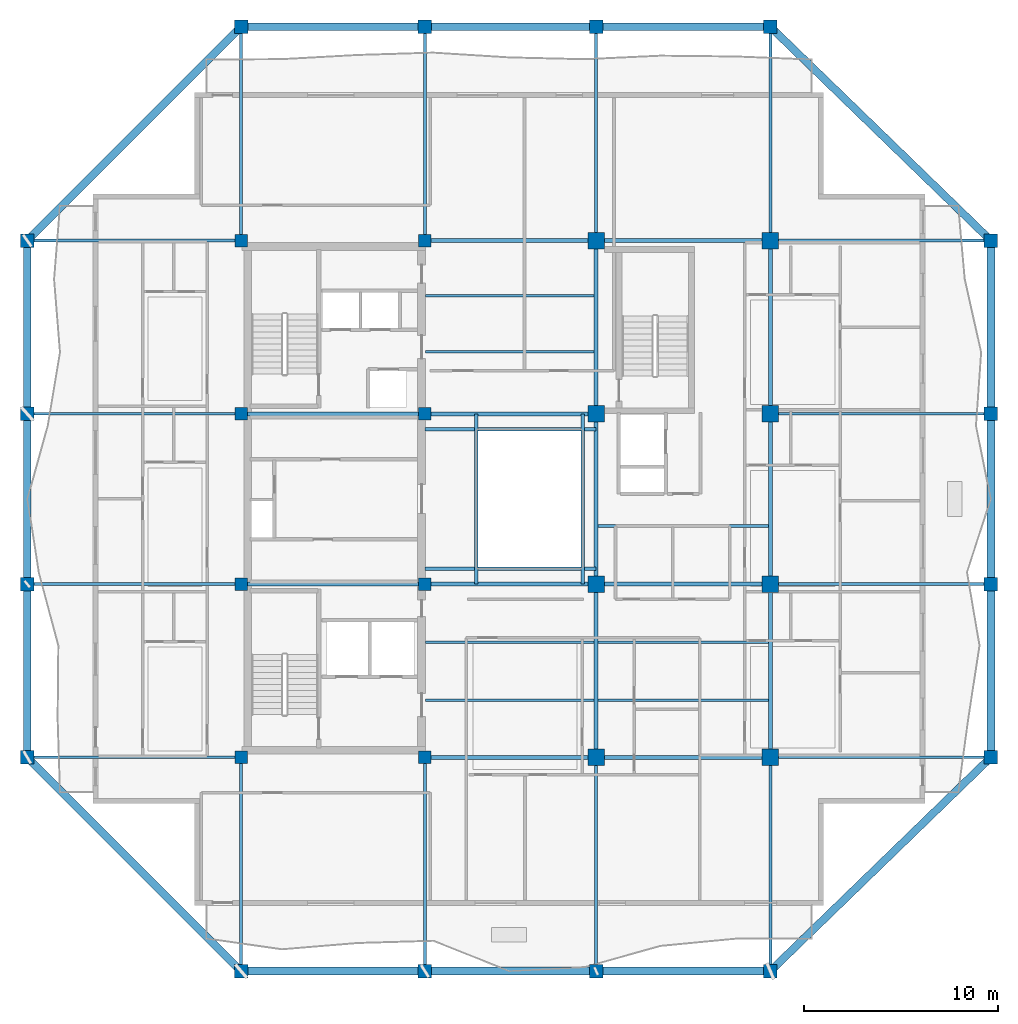
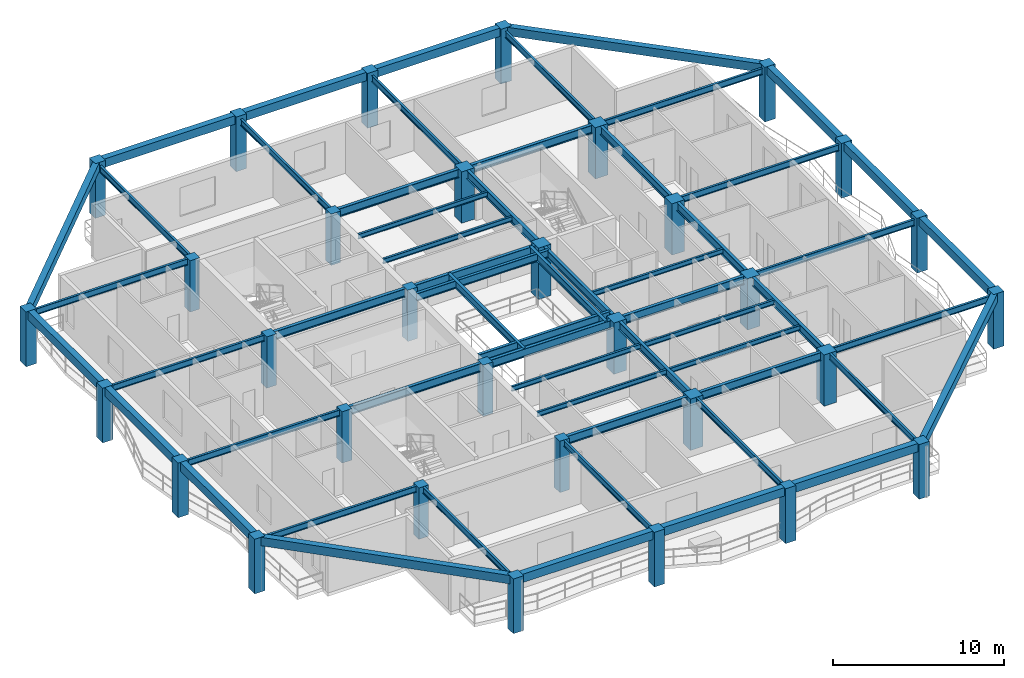
# One storey, part 1 of 12: 58 beams, 32 columns.
"""IFC4 building model written with IfcOpenShell, lengths in metres."""

from ifc_helpers import new_model, si_unit, direction, frame, origin, origin_2d, place, context, subcontext, project, spatial, rectangle, i_section, extrude, material, material_profile, profile_set, type_object, element, save


model = new_model("IFC4")

# Units and contexts
model_context = context("Model", 3, precision=1e-05, world=origin(), true_north=direction((0.0, 1.0)))
body_context = subcontext(model_context, "Body", "Model", "MODEL_VIEW")
ifc_project = project(units=[si_unit("LENGTHUNIT", "METRE"), si_unit("AREAUNIT", "SQUARE_METRE"), si_unit("VOLUMEUNIT", "CUBIC_METRE"), si_unit("PLANEANGLEUNIT", "RADIAN"), si_unit("MASSUNIT", "GRAM", prefix="KILO")], contexts=[model_context])

# Site, building, storey
site_placement = place(None, origin())
site = spatial("IfcSite", under=ifc_project, at=site_placement, CompositionType="ELEMENT")
building_placement = place(site_placement, origin())
building = spatial("IfcBuilding", under=site, at=building_placement, Name="Kundavana Baori Tower", CompositionType="ELEMENT")
storey_placement = place(building_placement, frame((0.0, 0.0, 233.60009765625)))
storey = spatial("IfcBuildingStorey", under=building, at=storey_placement, Name="L57", CompositionType="ELEMENT", Elevation=233.60009765625)

# Columns
ifc_material_1 = material(Name="Concrete C50/60", Category="concrete")
ifc_material_profile_1 = material_profile(ifc_material_1, rectangle(XDim=0.699951171875, YDim=0.699951171875, at=origin_2d()), Name="RC PF 700x700")
ifc_profile_set_1 = profile_set([ifc_material_profile_1], Name="Concrete C50/60")
column_type_1 = type_object("IfcColumnType", Name="COL-PF-700", PredefinedType="COLUMN", material=ifc_profile_set_1)
for number, where, z_axis, x_axis, name in (
    (1, (15.449951171875, 4.199951171875, 0.0), (0.0, 0.0, 1.0), (1.0, 0.0, 0.0), "L57 Stone-Clad Perimeter Frame Column PF-S1"),
    (2, (15.449951171875, 53.0, 0.0), (0.0, 0.0, 1.0), (1.0, 0.0, 0.0), "L57 Stone-Clad Perimeter Frame Column PF-N1"),
    (3, (24.949951171875, 4.199951171875, 0.0), (0.0, 0.0, 1.0), (1.0, 0.0, 0.0), "L57 Stone-Clad Perimeter Frame Column PF-S2"),
    (4, (24.949951171875, 53.0, 0.0), (0.0, 0.0, 1.0), (1.0, 0.0, 0.0), "L57 Stone-Clad Perimeter Frame Column PF-N2"),
    (5, (33.800048828125, 4.199951171875, 0.0), (0.0, 0.0, 1.0), (1.0, 0.0, 0.0), "L57 Stone-Clad Perimeter Frame Column PF-S3"),
    (6, (33.800048828125, 53.0, 0.0), (0.0, 0.0, 1.0), (1.0, 0.0, 0.0), "L57 Stone-Clad Perimeter Frame Column PF-N3"),
    (7, (42.800048828125, 4.199951171875, 0.0), (0.0, 0.0, 1.0), (1.0, 0.0, 0.0), "L57 Stone-Clad Perimeter Frame Column PF-S4"),
    (8, (42.800048828125, 53.0, 0.0), (0.0, 0.0, 1.0), (1.0, 0.0, 0.0), "L57 Stone-Clad Perimeter Frame Column PF-N4"),
    (9, (4.39990234375, 15.25, 0.0), (0.0, 0.0, 1.0), (1.0, 0.0, 0.0), "L57 Stone-Clad Perimeter Frame Column PF-W1"),
    (10, (54.199951171875, 15.25, 0.0), (0.0, 0.0, 1.0), (1.0, 0.0, 0.0), "L57 Stone-Clad Perimeter Frame Column PF-E1"),
    (11, (4.39990234375, 24.199951171875, 0.0), (0.0, 0.0, 1.0), (1.0, 0.0, 0.0), "L57 Stone-Clad Perimeter Frame Column PF-W2"),
    (12, (54.199951171875, 24.199951171875, 0.0), (0.0, 0.0, 1.0), (1.0, 0.0, 0.0), "L57 Stone-Clad Perimeter Frame Column PF-E2"),
    (13, (4.39990234375, 33.0, 0.0), (0.0, 0.0, 1.0), (1.0, 0.0, 0.0), "L57 Stone-Clad Perimeter Frame Column PF-W3"),
    (14, (54.199951171875, 33.0, 0.0), (0.0, 0.0, 1.0), (1.0, 0.0, 0.0), "L57 Stone-Clad Perimeter Frame Column PF-E3"),
    (15, (4.39990234375, 41.949951171875, 0.0), (0.0, 0.0, 1.0), (1.0, 0.0, 0.0), "L57 Stone-Clad Perimeter Frame Column PF-W4"),
    (16, (54.199951171875, 41.949951171875, 0.0), (0.0, 0.0, 1.0), (1.0, 0.0, 0.0), "L57 Stone-Clad Perimeter Frame Column PF-E4"),
):
    element("IfcColumn", number, at=place(storey_placement, frame(where, z_axis=z_axis, x_axis=x_axis)), inside=storey, type_object=column_type_1, Name=name, PredefinedType="COLUMN", context=body_context, shape_type="SweptSolid", body=[
        extrude(rectangle(XDim=0.699951171875, YDim=0.699951171875, at=origin_2d()), origin(), (0.0, 0.0, 1.0), 3.89990234375),
    ])
ifc_material_2 = material(Name="Concrete C50/60", Category="concrete")
ifc_material_profile_2 = material_profile(ifc_material_2, rectangle(XDim=0.64990234375, YDim=0.64990234375, at=origin_2d()), Name="RC 650x650")
ifc_profile_set_2 = profile_set([ifc_material_profile_2], Name="Concrete C50/60")
column_type_2 = type_object("IfcColumnType", Name="COL-RC-650", PredefinedType="COLUMN", material=ifc_profile_set_2)
for number, where, z_axis, x_axis, name in (
    (17, (15.449951171875, 15.25, 0.0), (0.0, 0.0, 1.0), (1.0, 0.0, 0.0), "L57 Interior Column IC-3C"),
    (18, (15.449951171875, 24.199951171875, 0.0), (0.0, 0.0, 1.0), (1.0, 0.0, 0.0), "L57 Interior Column IC-3D"),
    (19, (15.449951171875, 33.0, 0.0), (0.0, 0.0, 1.0), (1.0, 0.0, 0.0), "L57 Interior Column IC-3E"),
    (20, (15.449951171875, 41.949951171875, 0.0), (0.0, 0.0, 1.0), (1.0, 0.0, 0.0), "L57 Interior Column IC-3F"),
    (21, (24.949951171875, 15.25, 0.0), (0.0, 0.0, 1.0), (1.0, 0.0, 0.0), "L57 Interior Column IC-4C"),
    (22, (24.949951171875, 24.199951171875, 0.0), (0.0, 0.0, 1.0), (1.0, 0.0, 0.0), "L57 Interior Column IC-4D"),
    (23, (24.949951171875, 33.0, 0.0), (0.0, 0.0, 1.0), (1.0, 0.0, 0.0), "L57 Interior Column IC-4E"),
    (24, (24.949951171875, 41.949951171875, 0.0), (0.0, 0.0, 1.0), (1.0, 0.0, 0.0), "L57 Interior Column IC-4F"),
):
    element("IfcColumn", number, at=place(storey_placement, frame(where, z_axis=z_axis, x_axis=x_axis)), inside=storey, type_object=column_type_2, Name=name, PredefinedType="COLUMN", context=body_context, shape_type="SweptSolid", body=[
        extrude(rectangle(XDim=0.64990234375, YDim=0.64990234375, at=origin_2d()), origin(), (0.0, 0.0, 1.0), 3.659912109375),
    ])
ifc_material_3 = material(Name="Concrete C50/60", Category="concrete")
ifc_material_profile_3 = material_profile(ifc_material_3, rectangle(XDim=0.85009765625, YDim=0.85009765625, at=origin_2d()), Name="RC 850x850")
ifc_profile_set_3 = profile_set([ifc_material_profile_3], Name="Concrete C50/60")
column_type_3 = type_object("IfcColumnType", Name="COL-RC-850", PredefinedType="COLUMN", material=ifc_profile_set_3)
for number, where, z_axis, x_axis, name in (
    (25, (33.800048828125, 15.25, 0.0), (0.0, 0.0, 1.0), (1.0, 0.0, 0.0), "L57 Interior Column IC-5C"),
    (26, (33.800048828125, 24.199951171875, 0.0), (0.0, 0.0, 1.0), (1.0, 0.0, 0.0), "L57 Interior Column IC-5D"),
    (27, (33.800048828125, 33.0, 0.0), (0.0, 0.0, 1.0), (1.0, 0.0, 0.0), "L57 Interior Column IC-5E"),
    (28, (33.800048828125, 41.949951171875, 0.0), (0.0, 0.0, 1.0), (1.0, 0.0, 0.0), "L57 Interior Column IC-5F"),
    (29, (42.800048828125, 15.25, 0.0), (0.0, 0.0, 1.0), (1.0, 0.0, 0.0), "L57 Interior Column IC-6C"),
    (30, (42.800048828125, 24.199951171875, 0.0), (0.0, 0.0, 1.0), (1.0, 0.0, 0.0), "L57 Interior Column IC-6D"),
    (31, (42.800048828125, 33.0, 0.0), (0.0, 0.0, 1.0), (1.0, 0.0, 0.0), "L57 Interior Column IC-6E"),
    (32, (42.800048828125, 41.949951171875, 0.0), (0.0, 0.0, 1.0), (1.0, 0.0, 0.0), "L57 Interior Column IC-6F"),
):
    element("IfcColumn", number, at=place(storey_placement, frame(where, z_axis=z_axis, x_axis=x_axis)), inside=storey, type_object=column_type_3, Name=name, PredefinedType="COLUMN", context=body_context, shape_type="SweptSolid", body=[
        extrude(rectangle(XDim=0.85009765625, YDim=0.85009765625, at=origin_2d()), origin(), (0.0, 0.0, 1.0), 3.659912109375),
    ])

# Beams
ifc_material_4 = material(Name="Structural Steel S355JR", Category="steel")
ifc_material_profile_4 = material_profile(ifc_material_4, i_section(OverallWidth=0.139892578125, OverallDepth=0.35009765625, WebThickness=0.008056640625, FlangeThickness=0.01416015625, FilletRadius=0.013916015625, at=origin_2d()), Name="ISMB 350")
ifc_profile_set_4 = profile_set([ifc_material_profile_4], Name="Structural Steel S355JR")
beam_type_1 = type_object("IfcBeamType", Name="BM-JST-350", PredefinedType="JOIST", material=ifc_profile_set_4)
for number, where, z_axis, x_axis, name in (
    (33, (24.97998046875, 18.199951171875, 3.48486328125), (1.0, 0.0, 0.0), (0.0, 1.0, 0.0), "L57 Central Bay Composite Floor Joist C1"),
    (34, (24.97998046875, 21.199951171875, 3.48486328125), (1.0, 0.0, 0.0), (0.0, 1.0, 0.0), "L57 Central Bay Composite Floor Joist C2"),
    (35, (24.97998046875, 36.199951171875, 3.48486328125), (1.0, 0.0, 0.0), (0.0, 1.0, 0.0), "L57 Central Bay Composite Floor Joist C3"),
    (36, (24.97998046875, 39.10009765625, 3.48486328125), (1.0, 0.0, 0.0), (0.0, 1.0, 0.0), "L57 Central Bay Composite Floor Joist C4"),
):
    element("IfcBeam", number, at=place(storey_placement, frame(where, z_axis=z_axis, x_axis=x_axis)), inside=storey, type_object=beam_type_1, Name=name, PredefinedType="JOIST", context=body_context, shape_type="SweptSolid", body=[
        extrude(i_section(OverallWidth=0.139892578125, OverallDepth=0.35009765625, WebThickness=0.008056640625, FlangeThickness=0.01416015625, FilletRadius=0.013916015625, at=origin_2d()), origin(), (0.0, 0.0, 1.0), 8.715087890625),
    ])
for number, where, z_axis, x_axis, name in (
    (37, (33.905029296875, 18.199951171875, 3.48486328125), (1.0, 0.0, 0.0), (0.0, 1.0, 0.0), "L57 East Bay Composite Floor Joist E1"),
    (38, (33.905029296875, 21.199951171875, 3.48486328125), (1.0, 0.0, 0.0), (0.0, 1.0, 0.0), "L57 East Bay Composite Floor Joist E2"),
    (39, (33.905029296875, 27.199951171875, 3.48486328125), (1.0, 0.0, 0.0), (0.0, 1.0, 0.0), "L57 East Bay Composite Floor Joist E3"),
):
    element("IfcBeam", number, at=place(storey_placement, frame(where, z_axis=z_axis, x_axis=x_axis)), inside=storey, type_object=beam_type_1, Name=name, PredefinedType="JOIST", context=body_context, shape_type="SweptSolid", body=[
        extrude(i_section(OverallWidth=0.139892578125, OverallDepth=0.35009765625, WebThickness=0.008056640625, FlangeThickness=0.01416015625, FilletRadius=0.013916015625, at=origin_2d()), origin(), (0.0, 0.0, 1.0), 8.7900390625),
    ])
ifc_material_5 = material(Name="Concrete C50/60", Category="concrete")
ifc_material_profile_5 = material_profile(ifc_material_5, rectangle(XDim=0.39990234375, YDim=0.60009765625, at=origin_2d()), Name="RC BM 400x600")
ifc_profile_set_5 = profile_set([ifc_material_profile_5], Name="Concrete C50/60")
beam_type_2 = type_object("IfcBeamType", Name="BM-PF-600", PredefinedType="SPANDREL", material=ifc_profile_set_5)
beam_1_placement = place(storey_placement, frame((15.449951171875, 4.199951171875, 3.599853515625), z_axis=(1.0, 0.0, 0.0), x_axis=(0.0, 1.0, 0.0)))
element("IfcBeam", 40, at=beam_1_placement, inside=storey, type_object=beam_type_2, Name="L57 Perimeter Frame Ring Beam S1", PredefinedType="SPANDREL", context=body_context, shape_type="SweptSolid", body=[
    extrude(rectangle(XDim=0.39990234375, YDim=0.60009765625, at=origin_2d()), origin(), (0.0, 0.0, 1.0), 9.5),
])
beam_2_placement = place(storey_placement, frame((24.949951171875, 4.199951171875, 3.599853515625), z_axis=(1.0, 0.0, 0.0), x_axis=(0.0, 1.0, 0.0)))
element("IfcBeam", 41, at=beam_2_placement, inside=storey, type_object=beam_type_2, Name="L57 Perimeter Frame Ring Beam S2", PredefinedType="SPANDREL", context=body_context, shape_type="SweptSolid", body=[
    extrude(rectangle(XDim=0.39990234375, YDim=0.60009765625, at=origin_2d()), origin(), (0.0, 0.0, 1.0), 8.85009765625),
])
beam_3_placement = place(storey_placement, frame((33.800048828125, 4.199951171875, 3.599853515625), z_axis=(1.0, 0.0, 0.0), x_axis=(0.0, 1.0, 0.0)))
element("IfcBeam", 42, at=beam_3_placement, inside=storey, type_object=beam_type_2, Name="L57 Perimeter Frame Ring Beam S3", PredefinedType="SPANDREL", context=body_context, shape_type="SweptSolid", body=[
    extrude(rectangle(XDim=0.39990234375, YDim=0.60009765625, at=origin_2d()), origin(), (0.0, 0.0, 1.0), 9.0),
])
beam_4_placement = place(storey_placement, frame((15.449951171875, 53.0, 3.599853515625), z_axis=(1.0, 0.0, 0.0), x_axis=(0.0, 1.0, 0.0)))
element("IfcBeam", 43, at=beam_4_placement, inside=storey, type_object=beam_type_2, Name="L57 Perimeter Frame Ring Beam N1", PredefinedType="SPANDREL", context=body_context, shape_type="SweptSolid", body=[
    extrude(rectangle(XDim=0.39990234375, YDim=0.60009765625, at=origin_2d()), origin(), (0.0, 0.0, 1.0), 9.5),
])
beam_5_placement = place(storey_placement, frame((24.949951171875, 53.0, 3.599853515625), z_axis=(1.0, 0.0, 0.0), x_axis=(0.0, 1.0, 0.0)))
element("IfcBeam", 44, at=beam_5_placement, inside=storey, type_object=beam_type_2, Name="L57 Perimeter Frame Ring Beam N2", PredefinedType="SPANDREL", context=body_context, shape_type="SweptSolid", body=[
    extrude(rectangle(XDim=0.39990234375, YDim=0.60009765625, at=origin_2d()), origin(), (0.0, 0.0, 1.0), 8.85009765625),
])
beam_6_placement = place(storey_placement, frame((33.800048828125, 53.0, 3.599853515625), z_axis=(1.0, 0.0, 0.0), x_axis=(0.0, 1.0, 0.0)))
element("IfcBeam", 45, at=beam_6_placement, inside=storey, type_object=beam_type_2, Name="L57 Perimeter Frame Ring Beam N3", PredefinedType="SPANDREL", context=body_context, shape_type="SweptSolid", body=[
    extrude(rectangle(XDim=0.39990234375, YDim=0.60009765625, at=origin_2d()), origin(), (0.0, 0.0, 1.0), 9.0),
])
beam_7_placement = place(storey_placement, frame((4.39990234375, 15.25, 3.599853515625), z_axis=(0.0, 1.0, 0.0), x_axis=(-1.0, 0.0, 0.0)))
element("IfcBeam", 46, at=beam_7_placement, inside=storey, type_object=beam_type_2, Name="L57 Perimeter Frame Ring Beam W1", PredefinedType="SPANDREL", context=body_context, shape_type="SweptSolid", body=[
    extrude(rectangle(XDim=0.39990234375, YDim=0.60009765625, at=origin_2d()), origin(), (0.0, 0.0, 1.0), 8.949951171875),
])
beam_8_placement = place(storey_placement, frame((4.39990234375, 24.199951171875, 3.599853515625), z_axis=(0.0, 1.0, 0.0), x_axis=(-1.0, 0.0, 0.0)))
element("IfcBeam", 47, at=beam_8_placement, inside=storey, type_object=beam_type_2, Name="L57 Perimeter Frame Ring Beam W2", PredefinedType="SPANDREL", context=body_context, shape_type="SweptSolid", body=[
    extrude(rectangle(XDim=0.39990234375, YDim=0.60009765625, at=origin_2d()), origin(), (0.0, 0.0, 1.0), 8.800048828125),
])
for number, where, z_axis, x_axis, name in (
    (48, (4.39990234375, 33.0, 3.599853515625), (0.0, 1.0, 0.0), (-1.0, 0.0, 0.0), "L57 Perimeter Frame Ring Beam W3"),
    (49, (54.199951171875, 15.25, 3.599853515625), (0.0, 1.0, 0.0), (-1.0, 0.0, 0.0), "L57 Perimeter Frame Ring Beam E1"),
):
    element("IfcBeam", number, at=place(storey_placement, frame(where, z_axis=z_axis, x_axis=x_axis)), inside=storey, type_object=beam_type_2, Name=name, PredefinedType="SPANDREL", context=body_context, shape_type="SweptSolid", body=[
        extrude(rectangle(XDim=0.39990234375, YDim=0.60009765625, at=origin_2d()), origin(), (0.0, 0.0, 1.0), 8.949951171875),
    ])
beam_9_placement = place(storey_placement, frame((54.199951171875, 24.199951171875, 3.599853515625), z_axis=(0.0, 1.0, 0.0), x_axis=(-1.0, 0.0, 0.0)))
element("IfcBeam", 50, at=beam_9_placement, inside=storey, type_object=beam_type_2, Name="L57 Perimeter Frame Ring Beam E2", PredefinedType="SPANDREL", context=body_context, shape_type="SweptSolid", body=[
    extrude(rectangle(XDim=0.39990234375, YDim=0.60009765625, at=origin_2d()), origin(), (0.0, 0.0, 1.0), 8.800048828125),
])
beam_10_placement = place(storey_placement, frame((54.199951171875, 33.0, 3.599853515625), z_axis=(0.0, 1.0, 0.0), x_axis=(-1.0, 0.0, 0.0)))
element("IfcBeam", 51, at=beam_10_placement, inside=storey, type_object=beam_type_2, Name="L57 Perimeter Frame Ring Beam E3", PredefinedType="SPANDREL", context=body_context, shape_type="SweptSolid", body=[
    extrude(rectangle(XDim=0.39990234375, YDim=0.60009765625, at=origin_2d()), origin(), (0.0, 0.0, 1.0), 8.949951171875),
])
beam_11_placement = place(storey_placement, frame((15.449951171875, 4.199951171875, 3.599853515625), z_axis=(-0.707106781187, 0.707106781187, 0.0), x_axis=(-0.707106781187, -0.707106781187, 0.0)))
element("IfcBeam", 52, at=beam_11_placement, inside=storey, type_object=beam_type_2, Name="L57 Notched Corner Perimeter Beam SW", PredefinedType="SPANDREL", context=body_context, shape_type="SweptSolid", body=[
    extrude(rectangle(XDim=0.39990234375, YDim=0.60009765625, at=origin_2d()), origin(), (0.0, 0.0, 1.0), 15.627197265625),
])
beam_12_placement = place(storey_placement, frame((42.800048828125, 4.199951171875, 3.599853515625), z_axis=(0.718038944492, 0.696002926857, 0.0), x_axis=(-0.696002926857, 0.718038944492, 0.0)))
element("IfcBeam", 53, at=beam_12_placement, inside=storey, type_object=beam_type_2, Name="L57 Notched Corner Perimeter Beam SE", PredefinedType="SPANDREL", context=body_context, shape_type="SweptSolid", body=[
    extrude(rectangle(XDim=0.39990234375, YDim=0.60009765625, at=origin_2d()), origin(), (0.0, 0.0, 1.0), 15.87646484375),
])
beam_13_placement = place(storey_placement, frame((15.449951171875, 53.0, 3.599853515625), z_axis=(-0.707106781187, -0.707106781187, 0.0), x_axis=(0.707106781187, -0.707106781187, 0.0)))
element("IfcBeam", 54, at=beam_13_placement, inside=storey, type_object=beam_type_2, Name="L57 Notched Corner Perimeter Beam NW", PredefinedType="SPANDREL", context=body_context, shape_type="SweptSolid", body=[
    extrude(rectangle(XDim=0.39990234375, YDim=0.60009765625, at=origin_2d()), origin(), (0.0, 0.0, 1.0), 15.627197265625),
])
beam_14_placement = place(storey_placement, frame((42.800048828125, 53.0, 3.599853515625), z_axis=(0.718038944492, -0.696002926857, 0.0), x_axis=(0.696002926857, 0.718038944492, 0.0)))
element("IfcBeam", 55, at=beam_14_placement, inside=storey, type_object=beam_type_2, Name="L57 Notched Corner Perimeter Beam NE", PredefinedType="SPANDREL", context=body_context, shape_type="SweptSolid", body=[
    extrude(rectangle(XDim=0.39990234375, YDim=0.60009765625, at=origin_2d()), origin(), (0.0, 0.0, 1.0), 15.87646484375),
])
ifc_material_6 = material(Name="Structural Steel S355JR", Category="steel")
ifc_material_profile_6 = material_profile(ifc_material_6, i_section(OverallWidth=0.18994140625, OverallDepth=0.550048828125, WebThickness=0.01123046875, FlangeThickness=0.019287109375, FilletRadius=0.01806640625, at=origin_2d()), Name="ISMB 550")
ifc_profile_set_6 = profile_set([ifc_material_profile_6], Name="Structural Steel S355JR")
beam_type_3 = type_object("IfcBeamType", Name="BM-ST-550", PredefinedType="BEAM", material=ifc_profile_set_6)
for number, where, z_axis, x_axis, name in (
    (56, (27.60009765625, 24.199951171875, 3.385009765625), (0.0, 1.0, 0.0), (-1.0, 0.0, 0.0), "L57 Atrium West Edge Beam"),
    (57, (33.10009765625, 24.199951171875, 3.385009765625), (0.0, 1.0, 0.0), (-1.0, 0.0, 0.0), "L57 Atrium East Edge Beam"),
):
    element("IfcBeam", number, at=place(storey_placement, frame(where, z_axis=z_axis, x_axis=x_axis)), inside=storey, type_object=beam_type_3, Name=name, PredefinedType="BEAM", context=body_context, shape_type="SweptSolid", body=[
        extrude(i_section(OverallWidth=0.18994140625, OverallDepth=0.550048828125, WebThickness=0.01123046875, FlangeThickness=0.019287109375, FilletRadius=0.01806640625, at=origin_2d()), origin(), (0.0, 0.0, 1.0), 8.800048828125),
    ])
for number, where, z_axis, x_axis, name in (
    (58, (24.949951171875, 25.0, 3.385009765625), (1.0, 0.0, 0.0), (0.0, 1.0, 0.0), "L57 Atrium South Edge Beam"),
    (59, (24.949951171875, 32.199951171875, 3.385009765625), (1.0, 0.0, 0.0), (0.0, 1.0, 0.0), "L57 Atrium North Edge Beam"),
):
    element("IfcBeam", number, at=place(storey_placement, frame(where, z_axis=z_axis, x_axis=x_axis)), inside=storey, type_object=beam_type_3, Name=name, PredefinedType="BEAM", context=body_context, shape_type="SweptSolid", body=[
        extrude(i_section(OverallWidth=0.18994140625, OverallDepth=0.550048828125, WebThickness=0.01123046875, FlangeThickness=0.019287109375, FilletRadius=0.01806640625, at=origin_2d()), origin(), (0.0, 0.0, 1.0), 8.85009765625),
    ])
ifc_material_7 = material(Name="Structural Steel S355JR", Category="steel")
ifc_material_profile_7 = material_profile(ifc_material_7, i_section(OverallWidth=0.2099609375, OverallDepth=0.60009765625, WebThickness=0.011962890625, FlangeThickness=0.020751953125, FilletRadius=0.02001953125, at=origin_2d()), Name="ISMB 600")
ifc_profile_set_7 = profile_set([ifc_material_profile_7], Name="Structural Steel S355JR")
beam_type_4 = type_object("IfcBeamType", Name="BM-ST-600", PredefinedType="BEAM", material=ifc_profile_set_7)
beam_15_placement = place(storey_placement, frame((24.949951171875, 15.25, 3.35986328125), z_axis=(1.0, 0.0, 0.0), x_axis=(0.0, 1.0, 0.0)))
element("IfcBeam", 60, at=beam_15_placement, inside=storey, type_object=beam_type_4, Name="L57 Primary Grid Girder GX-1-2", PredefinedType="BEAM", context=body_context, shape_type="SweptSolid", body=[
    extrude(i_section(OverallWidth=0.2099609375, OverallDepth=0.60009765625, WebThickness=0.011962890625, FlangeThickness=0.020751953125, FilletRadius=0.02001953125, at=origin_2d()), origin(), (0.0, 0.0, 1.0), 8.85009765625),
])
beam_16_placement = place(storey_placement, frame((33.800048828125, 15.25, 3.35986328125), z_axis=(1.0, 0.0, 0.0), x_axis=(0.0, 1.0, 0.0)))
element("IfcBeam", 61, at=beam_16_placement, inside=storey, type_object=beam_type_4, Name="L57 Primary Grid Girder GX-1-3", PredefinedType="BEAM", context=body_context, shape_type="SweptSolid", body=[
    extrude(i_section(OverallWidth=0.2099609375, OverallDepth=0.60009765625, WebThickness=0.011962890625, FlangeThickness=0.020751953125, FilletRadius=0.02001953125, at=origin_2d()), origin(), (0.0, 0.0, 1.0), 9.0),
])
beam_17_placement = place(storey_placement, frame((15.449951171875, 24.199951171875, 3.35986328125), z_axis=(1.0, 0.0, 0.0), x_axis=(0.0, 1.0, 0.0)))
element("IfcBeam", 62, at=beam_17_placement, inside=storey, type_object=beam_type_4, Name="L57 Primary Grid Girder GX-2-1", PredefinedType="BEAM", context=body_context, shape_type="SweptSolid", body=[
    extrude(i_section(OverallWidth=0.2099609375, OverallDepth=0.60009765625, WebThickness=0.011962890625, FlangeThickness=0.020751953125, FilletRadius=0.02001953125, at=origin_2d()), origin(), (0.0, 0.0, 1.0), 9.5),
])
beam_18_placement = place(storey_placement, frame((24.949951171875, 24.199951171875, 3.35986328125), z_axis=(1.0, 0.0, 0.0), x_axis=(0.0, 1.0, 0.0)))
element("IfcBeam", 63, at=beam_18_placement, inside=storey, type_object=beam_type_4, Name="L57 Primary Grid Girder GX-2-2", PredefinedType="BEAM", context=body_context, shape_type="SweptSolid", body=[
    extrude(i_section(OverallWidth=0.2099609375, OverallDepth=0.60009765625, WebThickness=0.011962890625, FlangeThickness=0.020751953125, FilletRadius=0.02001953125, at=origin_2d()), origin(), (0.0, 0.0, 1.0), 8.85009765625),
])
beam_19_placement = place(storey_placement, frame((33.800048828125, 24.199951171875, 3.35986328125), z_axis=(1.0, 0.0, 0.0), x_axis=(0.0, 1.0, 0.0)))
element("IfcBeam", 64, at=beam_19_placement, inside=storey, type_object=beam_type_4, Name="L57 Primary Grid Girder GX-2-3", PredefinedType="BEAM", context=body_context, shape_type="SweptSolid", body=[
    extrude(i_section(OverallWidth=0.2099609375, OverallDepth=0.60009765625, WebThickness=0.011962890625, FlangeThickness=0.020751953125, FilletRadius=0.02001953125, at=origin_2d()), origin(), (0.0, 0.0, 1.0), 9.0),
])
beam_20_placement = place(storey_placement, frame((15.449951171875, 33.0, 3.35986328125), z_axis=(1.0, 0.0, 0.0), x_axis=(0.0, 1.0, 0.0)))
element("IfcBeam", 65, at=beam_20_placement, inside=storey, type_object=beam_type_4, Name="L57 Primary Grid Girder GX-3-1", PredefinedType="BEAM", context=body_context, shape_type="SweptSolid", body=[
    extrude(i_section(OverallWidth=0.2099609375, OverallDepth=0.60009765625, WebThickness=0.011962890625, FlangeThickness=0.020751953125, FilletRadius=0.02001953125, at=origin_2d()), origin(), (0.0, 0.0, 1.0), 9.5),
])
for number, where, z_axis, x_axis, name in (
    (66, (24.949951171875, 33.0, 3.35986328125), (1.0, 0.0, 0.0), (0.0, 1.0, 0.0), "L57 Primary Grid Girder GX-3-2"),
    (67, (24.949951171875, 41.949951171875, 3.35986328125), (1.0, 0.0, 0.0), (0.0, 1.0, 0.0), "L57 Primary Grid Girder GX-4-2"),
):
    element("IfcBeam", number, at=place(storey_placement, frame(where, z_axis=z_axis, x_axis=x_axis)), inside=storey, type_object=beam_type_4, Name=name, PredefinedType="BEAM", context=body_context, shape_type="SweptSolid", body=[
        extrude(i_section(OverallWidth=0.2099609375, OverallDepth=0.60009765625, WebThickness=0.011962890625, FlangeThickness=0.020751953125, FilletRadius=0.02001953125, at=origin_2d()), origin(), (0.0, 0.0, 1.0), 8.85009765625),
    ])
beam_21_placement = place(storey_placement, frame((33.800048828125, 41.949951171875, 3.35986328125), z_axis=(1.0, 0.0, 0.0), x_axis=(0.0, 1.0, 0.0)))
element("IfcBeam", 68, at=beam_21_placement, inside=storey, type_object=beam_type_4, Name="L57 Primary Grid Girder GX-4-3", PredefinedType="BEAM", context=body_context, shape_type="SweptSolid", body=[
    extrude(i_section(OverallWidth=0.2099609375, OverallDepth=0.60009765625, WebThickness=0.011962890625, FlangeThickness=0.020751953125, FilletRadius=0.02001953125, at=origin_2d()), origin(), (0.0, 0.0, 1.0), 9.0),
])
beam_22_placement = place(storey_placement, frame((33.800048828125, 15.25, 3.35986328125), z_axis=(0.0, 1.0, 0.0), x_axis=(-1.0, 0.0, 0.0)))
element("IfcBeam", 69, at=beam_22_placement, inside=storey, type_object=beam_type_4, Name="L57 Primary Grid Girder GY-3-1", PredefinedType="BEAM", context=body_context, shape_type="SweptSolid", body=[
    extrude(i_section(OverallWidth=0.2099609375, OverallDepth=0.60009765625, WebThickness=0.011962890625, FlangeThickness=0.020751953125, FilletRadius=0.02001953125, at=origin_2d()), origin(), (0.0, 0.0, 1.0), 8.949951171875),
])
beam_23_placement = place(storey_placement, frame((33.800048828125, 24.199951171875, 3.35986328125), z_axis=(0.0, 1.0, 0.0), x_axis=(-1.0, 0.0, 0.0)))
element("IfcBeam", 70, at=beam_23_placement, inside=storey, type_object=beam_type_4, Name="L57 Primary Grid Girder GY-3-2", PredefinedType="BEAM", context=body_context, shape_type="SweptSolid", body=[
    extrude(i_section(OverallWidth=0.2099609375, OverallDepth=0.60009765625, WebThickness=0.011962890625, FlangeThickness=0.020751953125, FilletRadius=0.02001953125, at=origin_2d()), origin(), (0.0, 0.0, 1.0), 8.800048828125),
])
for number, where, z_axis, x_axis, name in (
    (71, (33.800048828125, 33.0, 3.35986328125), (0.0, 1.0, 0.0), (-1.0, 0.0, 0.0), "L57 Primary Grid Girder GY-3-3"),
    (72, (42.800048828125, 15.25, 3.35986328125), (0.0, 1.0, 0.0), (-1.0, 0.0, 0.0), "L57 Primary Grid Girder GY-4-1"),
):
    element("IfcBeam", number, at=place(storey_placement, frame(where, z_axis=z_axis, x_axis=x_axis)), inside=storey, type_object=beam_type_4, Name=name, PredefinedType="BEAM", context=body_context, shape_type="SweptSolid", body=[
        extrude(i_section(OverallWidth=0.2099609375, OverallDepth=0.60009765625, WebThickness=0.011962890625, FlangeThickness=0.020751953125, FilletRadius=0.02001953125, at=origin_2d()), origin(), (0.0, 0.0, 1.0), 8.949951171875),
    ])
beam_24_placement = place(storey_placement, frame((42.800048828125, 24.199951171875, 3.35986328125), z_axis=(0.0, 1.0, 0.0), x_axis=(-1.0, 0.0, 0.0)))
element("IfcBeam", 73, at=beam_24_placement, inside=storey, type_object=beam_type_4, Name="L57 Primary Grid Girder GY-4-2", PredefinedType="BEAM", context=body_context, shape_type="SweptSolid", body=[
    extrude(i_section(OverallWidth=0.2099609375, OverallDepth=0.60009765625, WebThickness=0.011962890625, FlangeThickness=0.020751953125, FilletRadius=0.02001953125, at=origin_2d()), origin(), (0.0, 0.0, 1.0), 8.800048828125),
])
beam_25_placement = place(storey_placement, frame((42.800048828125, 33.0, 3.35986328125), z_axis=(0.0, 1.0, 0.0), x_axis=(-1.0, 0.0, 0.0)))
element("IfcBeam", 74, at=beam_25_placement, inside=storey, type_object=beam_type_4, Name="L57 Primary Grid Girder GY-4-3", PredefinedType="BEAM", context=body_context, shape_type="SweptSolid", body=[
    extrude(i_section(OverallWidth=0.2099609375, OverallDepth=0.60009765625, WebThickness=0.011962890625, FlangeThickness=0.020751953125, FilletRadius=0.02001953125, at=origin_2d()), origin(), (0.0, 0.0, 1.0), 8.949951171875),
])
ifc_material_8 = material(Name="Structural Steel S355JR", Category="steel")
ifc_material_profile_8 = material_profile(ifc_material_8, i_section(OverallWidth=0.14990234375, OverallDepth=0.449951171875, WebThickness=0.009521484375, FlangeThickness=0.017333984375, FilletRadius=0.014892578125, at=origin_2d()), Name="ISMB 450")
ifc_profile_set_8 = profile_set([ifc_material_profile_8], Name="Structural Steel S355JR")
beam_type_5 = type_object("IfcBeamType", Name="BM-TIE-450", PredefinedType="BEAM", material=ifc_profile_set_8)
for number, where, z_axis, x_axis, name in (
    (75, (15.449951171875, 15.25, 3.434814453125), (0.0, -1.0, 0.0), (1.0, 0.0, 0.0), "L57 South Radial Loggia Tie Beam S1"),
    (76, (15.449951171875, 41.949951171875, 3.434814453125), (0.0, 1.0, 0.0), (-1.0, 0.0, 0.0), "L57 North Radial Loggia Tie Beam N1"),
    (77, (24.949951171875, 15.25, 3.434814453125), (0.0, -1.0, 0.0), (1.0, 0.0, 0.0), "L57 South Radial Loggia Tie Beam S2"),
    (78, (24.949951171875, 41.949951171875, 3.434814453125), (0.0, 1.0, 0.0), (-1.0, 0.0, 0.0), "L57 North Radial Loggia Tie Beam N2"),
    (79, (33.800048828125, 15.25, 3.434814453125), (0.0, -1.0, 0.0), (1.0, 0.0, 0.0), "L57 South Radial Loggia Tie Beam S3"),
    (80, (33.800048828125, 41.949951171875, 3.434814453125), (0.0, 1.0, 0.0), (-1.0, 0.0, 0.0), "L57 North Radial Loggia Tie Beam N3"),
    (81, (42.800048828125, 15.25, 3.434814453125), (0.0, -1.0, 0.0), (1.0, 0.0, 0.0), "L57 South Radial Loggia Tie Beam S4"),
    (82, (42.800048828125, 41.949951171875, 3.434814453125), (0.0, 1.0, 0.0), (-1.0, 0.0, 0.0), "L57 North Radial Loggia Tie Beam N4"),
    (83, (15.449951171875, 15.25, 3.434814453125), (-1.0, 0.0, 0.0), (0.0, -1.0, 0.0), "L57 West Radial Loggia Tie Beam W1"),
):
    element("IfcBeam", number, at=place(storey_placement, frame(where, z_axis=z_axis, x_axis=x_axis)), inside=storey, type_object=beam_type_5, Name=name, PredefinedType="BEAM", context=body_context, shape_type="SweptSolid", body=[
        extrude(i_section(OverallWidth=0.14990234375, OverallDepth=0.449951171875, WebThickness=0.009521484375, FlangeThickness=0.017333984375, FilletRadius=0.014892578125, at=origin_2d()), origin(), (0.0, 0.0, 1.0), 11.050048828125),
    ])
beam_26_placement = place(storey_placement, frame((42.800048828125, 15.25, 3.434814453125), z_axis=(1.0, 0.0, 0.0), x_axis=(0.0, 1.0, 0.0)))
element("IfcBeam", 84, at=beam_26_placement, inside=storey, type_object=beam_type_5, Name="L57 East Radial Loggia Tie Beam E1", PredefinedType="BEAM", context=body_context, shape_type="SweptSolid", body=[
    extrude(i_section(OverallWidth=0.14990234375, OverallDepth=0.449951171875, WebThickness=0.009521484375, FlangeThickness=0.017333984375, FilletRadius=0.014892578125, at=origin_2d()), origin(), (0.0, 0.0, 1.0), 11.39990234375),
])
beam_27_placement = place(storey_placement, frame((15.449951171875, 24.199951171875, 3.434814453125), z_axis=(-1.0, 0.0, 0.0), x_axis=(0.0, -1.0, 0.0)))
element("IfcBeam", 85, at=beam_27_placement, inside=storey, type_object=beam_type_5, Name="L57 West Radial Loggia Tie Beam W2", PredefinedType="BEAM", context=body_context, shape_type="SweptSolid", body=[
    extrude(i_section(OverallWidth=0.14990234375, OverallDepth=0.449951171875, WebThickness=0.009521484375, FlangeThickness=0.017333984375, FilletRadius=0.014892578125, at=origin_2d()), origin(), (0.0, 0.0, 1.0), 11.050048828125),
])
beam_28_placement = place(storey_placement, frame((42.800048828125, 24.199951171875, 3.434814453125), z_axis=(1.0, 0.0, 0.0), x_axis=(0.0, 1.0, 0.0)))
element("IfcBeam", 86, at=beam_28_placement, inside=storey, type_object=beam_type_5, Name="L57 East Radial Loggia Tie Beam E2", PredefinedType="BEAM", context=body_context, shape_type="SweptSolid", body=[
    extrude(i_section(OverallWidth=0.14990234375, OverallDepth=0.449951171875, WebThickness=0.009521484375, FlangeThickness=0.017333984375, FilletRadius=0.014892578125, at=origin_2d()), origin(), (0.0, 0.0, 1.0), 11.39990234375),
])
beam_29_placement = place(storey_placement, frame((15.449951171875, 33.0, 3.434814453125), z_axis=(-1.0, 0.0, 0.0), x_axis=(0.0, -1.0, 0.0)))
element("IfcBeam", 87, at=beam_29_placement, inside=storey, type_object=beam_type_5, Name="L57 West Radial Loggia Tie Beam W3", PredefinedType="BEAM", context=body_context, shape_type="SweptSolid", body=[
    extrude(i_section(OverallWidth=0.14990234375, OverallDepth=0.449951171875, WebThickness=0.009521484375, FlangeThickness=0.017333984375, FilletRadius=0.014892578125, at=origin_2d()), origin(), (0.0, 0.0, 1.0), 11.050048828125),
])
beam_30_placement = place(storey_placement, frame((42.800048828125, 33.0, 3.434814453125), z_axis=(1.0, 0.0, 0.0), x_axis=(0.0, 1.0, 0.0)))
element("IfcBeam", 88, at=beam_30_placement, inside=storey, type_object=beam_type_5, Name="L57 East Radial Loggia Tie Beam E3", PredefinedType="BEAM", context=body_context, shape_type="SweptSolid", body=[
    extrude(i_section(OverallWidth=0.14990234375, OverallDepth=0.449951171875, WebThickness=0.009521484375, FlangeThickness=0.017333984375, FilletRadius=0.014892578125, at=origin_2d()), origin(), (0.0, 0.0, 1.0), 11.39990234375),
])
beam_31_placement = place(storey_placement, frame((15.449951171875, 41.949951171875, 3.434814453125), z_axis=(-1.0, 0.0, 0.0), x_axis=(0.0, -1.0, 0.0)))
element("IfcBeam", 89, at=beam_31_placement, inside=storey, type_object=beam_type_5, Name="L57 West Radial Loggia Tie Beam W4", PredefinedType="BEAM", context=body_context, shape_type="SweptSolid", body=[
    extrude(i_section(OverallWidth=0.14990234375, OverallDepth=0.449951171875, WebThickness=0.009521484375, FlangeThickness=0.017333984375, FilletRadius=0.014892578125, at=origin_2d()), origin(), (0.0, 0.0, 1.0), 11.050048828125),
])
beam_32_placement = place(storey_placement, frame((42.800048828125, 41.949951171875, 3.434814453125), z_axis=(1.0, 0.0, 0.0), x_axis=(0.0, 1.0, 0.0)))
element("IfcBeam", 90, at=beam_32_placement, inside=storey, type_object=beam_type_5, Name="L57 East Radial Loggia Tie Beam E4", PredefinedType="BEAM", context=body_context, shape_type="SweptSolid", body=[
    extrude(i_section(OverallWidth=0.14990234375, OverallDepth=0.449951171875, WebThickness=0.009521484375, FlangeThickness=0.017333984375, FilletRadius=0.014892578125, at=origin_2d()), origin(), (0.0, 0.0, 1.0), 11.39990234375),
])

save(model, "model.ifc")
